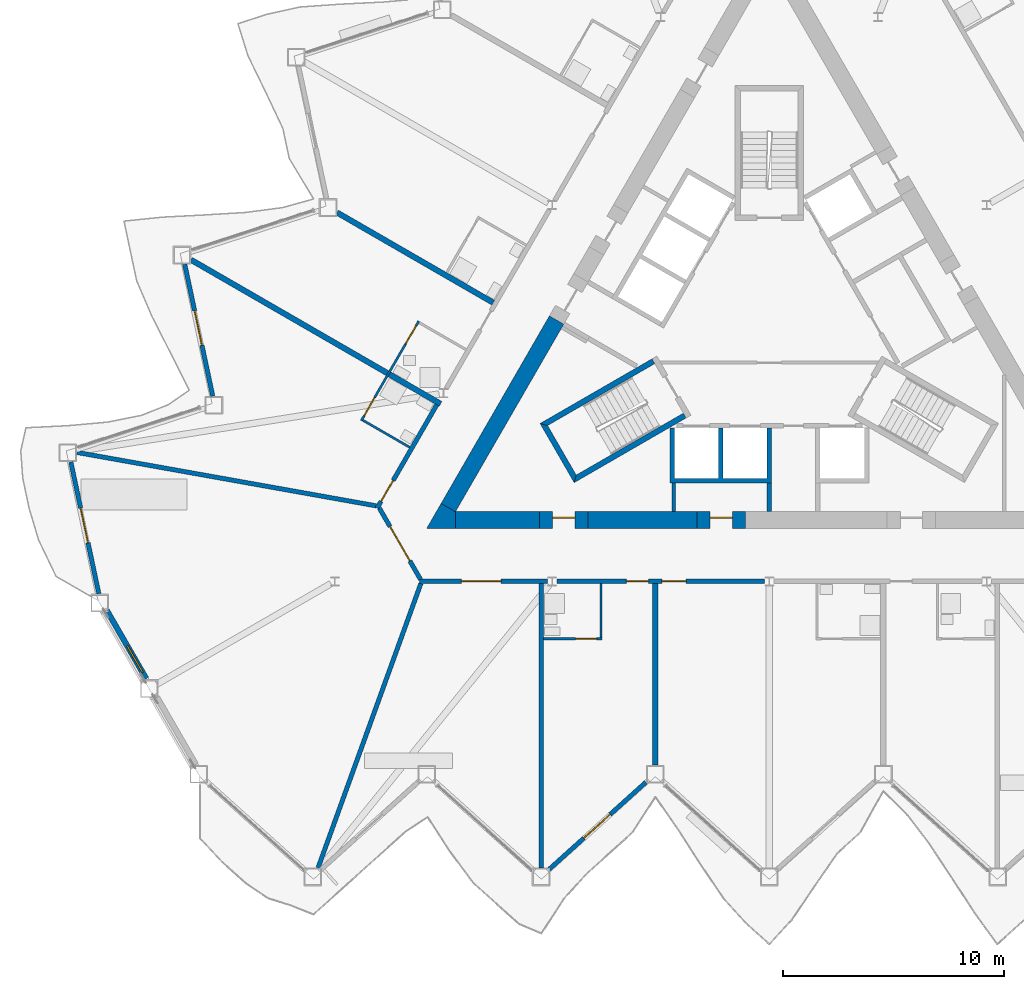
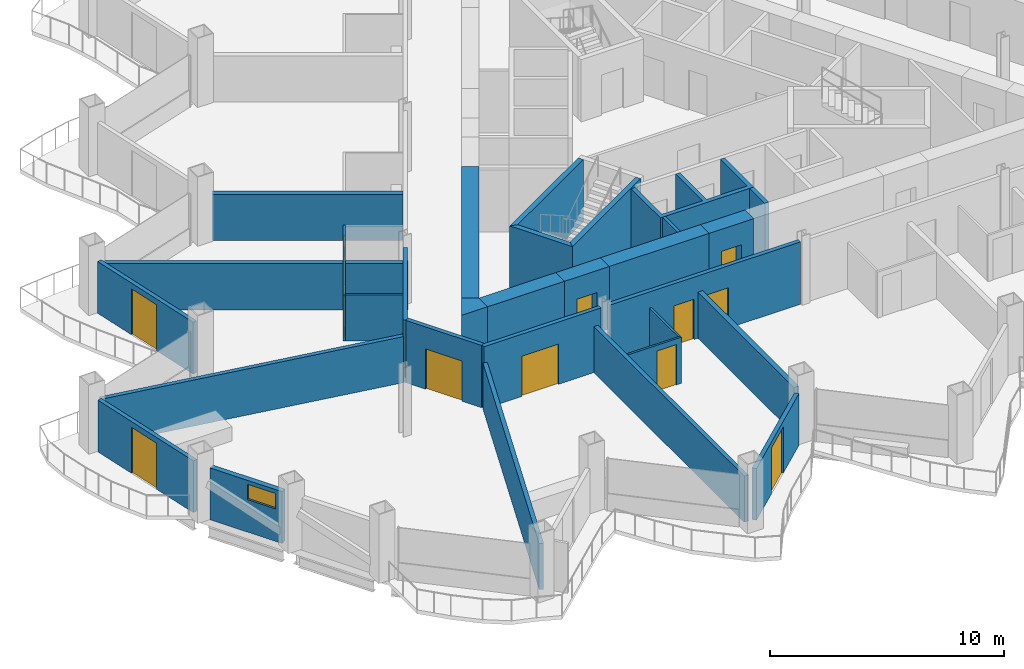
# One storey, part 11 of 23: 30 walls, 13 doors, 1 window, 14 openings.
"""IFC4 building model written with IfcOpenShell, lengths in metres."""

from ifc_helpers import new_model, si_unit, direction, frame, frame_2d, origin, place, context, subcontext, project, spatial, polyline, rectangle, outline, extrude, material, layer, layer_set, type_object, element, fill, save


model = new_model("IFC4")

# Units and contexts
model_context = context("Model", 3, precision=1e-05, world=origin(), true_north=direction((0.0, 1.0)))
body_context = subcontext(model_context, "Body", "Model", "MODEL_VIEW")
ifc_project = project(units=[si_unit("LENGTHUNIT", "METRE"), si_unit("AREAUNIT", "SQUARE_METRE"), si_unit("VOLUMEUNIT", "CUBIC_METRE"), si_unit("PLANEANGLEUNIT", "RADIAN"), si_unit("MASSUNIT", "GRAM", prefix="KILO")], contexts=[model_context])

# Site, building, storey
site_placement = place(None, origin())
site = spatial("IfcSite", under=ifc_project, at=site_placement, CompositionType="ELEMENT")
building_placement = place(site_placement, origin())
building = spatial("IfcBuilding", under=site, at=building_placement, Name="Cormorant Prow Tower", CompositionType="ELEMENT")
storey_placement = place(building_placement, frame((0.0, 0.0, 208.800048828125)))
storey = spatial("IfcBuildingStorey", under=building, at=storey_placement, Name="L46", CompositionType="ELEMENT", Elevation=208.800048828125)

# Walls
ifc_material_1 = material(Name="Gypsum board partition")
ifc_layer_1 = layer(ifc_material_1, 0.14990234375)
ifc_layer_set_1 = layer_set([ifc_layer_1], Name="Gypsum board partition")
wall_type_1 = type_object("IfcWallType", Name="Core partition 150", PredefinedType="PARTITIONING", material=ifc_layer_set_1)
wall_1_placement = place(storey_placement, frame((-4.330322265625, -8.198974609375, 0.0), z_axis=(0.0, 0.0, 1.0), x_axis=(0.0, 1.0, 0.0)))
element("IfcWall", 1, at=wall_1_placement, inside=storey, type_object=wall_type_1, Name="Service room partition", PredefinedType="PARTITIONING", context=body_context, shape_type="SweptSolid", body=[
    extrude(rectangle(XDim=1.29296875, YDim=0.14990234375, at=frame_2d((0.646484375, 0.0))), origin(), (0.0, 0.0, 1.0), 3.25),
])
ifc_material_2 = material(Name="Concrete 8000 psi", Category="concrete")
ifc_layer_2 = layer(ifc_material_2, 0.75)
ifc_layer_set_2 = layer_set([ifc_layer_2], Name="Concrete 8000 psi")
wall_type_2 = type_object("IfcWallType", Name="Core shear wall 750", PredefinedType="SHEAR", material=ifc_layer_set_2)
wall_2_placement = place(storey_placement, frame((-8.203125, -8.573974609375, 0.0), z_axis=(0.0, 0.0, 1.0), x_axis=(1.0, 0.0, 0.0)))
element("IfcWall", 2, at=wall_2_placement, inside=storey, type_object=wall_type_2, Name="Core wall", PredefinedType="SHEAR", context=body_context, shape_type="SweptSolid", body=[
    extrude(rectangle(XDim=4.925537109375, YDim=0.75, at=frame_2d((2.462890625, 0.0))), origin(), (0.0, 0.0, 1.0), 3.25),
])
wall_3_placement = place(storey_placement, frame((-14.200927734375, -8.573974609375, 0.0), z_axis=(0.0, 0.0, 1.0), x_axis=(1.0, 0.0, 0.0)))
element("IfcWall", 3, at=wall_3_placement, inside=storey, type_object=wall_type_2, Name="Core wall", PredefinedType="SHEAR", context=body_context, shape_type="SweptSolid", body=[
    extrude(rectangle(XDim=3.797607421875, YDim=0.75, at=frame_2d((1.89892578125, 0.0))), origin(), (0.0, 0.0, 1.0), 3.25),
])
wall_4_placement = place(storey_placement, frame((-9.625244140625, 0.4765625, 0.0), z_axis=(0.0, 0.0, 1.0), x_axis=(-0.499986234705, -0.866033351035, 0.0)))
element("IfcWall", 4, at=wall_4_placement, inside=storey, type_object=wall_type_2, Name="Core wall", PredefinedType="SHEAR", context=body_context, shape_type="SweptSolid", body=[
    extrude(rectangle(XDim=9.801025390625, YDim=0.75, at=frame_2d((4.900390625, 0.0))), origin(), (0.0, 0.0, 1.0), 3.25),
])
wall_5_placement = place(storey_placement, origin())
element("IfcWall", 5, at=wall_5_placement, inside=storey, type_object=wall_type_2, Name="Core wall corner", PredefinedType="SHEAR", context=body_context, shape_type="SweptSolid", body=[
    extrude(outline(polyline([(-14.8505859375, -7.823974609375), (-14.200927734375, -8.198974609375), (-14.200927734375, -8.948974609375), (-15.5, -8.948974609375), (-14.8505859375, -7.823974609375)])), origin(), (0.0, 0.0, 1.0), 3.25),
])

# Wall, opening, door
wall_6_placement = place(storey_placement, frame((-3.277587890625, -8.573974609375, 0.0), z_axis=(0.0, 0.0, 1.0), x_axis=(1.0, 0.0, 0.0)))
wall_6 = element("IfcWall", 6, at=wall_6_placement, inside=storey, type_object=wall_type_2, Name="Core wall door panel", PredefinedType="SHEAR", context=body_context, shape_type="SweptSolid", body=[
    extrude(rectangle(XDim=2.199951171875, YDim=0.75, at=frame_2d((1.10009765625, 0.0))), origin(), (0.0, 0.0, 1.0), 3.25),
])
opening_1_placement = place(wall_6_placement, frame((0.60009765625, 0.0, 0.0)))
opening_1 = element("IfcOpeningElement", 7, at=opening_1_placement, cuts=wall_6, Name="Opening L46-C14", PredefinedType="OPENING", context=body_context, shape_type="SweptSolid", body=[
    extrude(rectangle(XDim=1.0, YDim=2.10009765625, at=frame_2d((0.5, 1.050048828125))), frame((0.0, 0.385009765625, 0.0), z_axis=(0.0, -1.0, 0.0), x_axis=(1.0, 0.0, 0.0)), (0.0, 0.0, 1.0), 0.77001953125),
])
ifc_material_3 = material(Name="Painted steel", Category="steel")
door_type_1 = type_object("IfcDoorType", Name="Service door 1000x2100", OperationType="NOTDEFINED", PredefinedType="DOOR", material=ifc_material_3)
door_1_placement = place(opening_1_placement, origin())
door_1 = element("IfcDoor", 8, at=door_1_placement, inside=storey, type_object=door_type_1, Name="Core door, Housekeeping store", OperationType="SINGLE_SWING_RIGHT", OverallHeight=2.10009765625, OverallWidth=1.0, PredefinedType="DOOR", context=body_context, shape_type="SweptSolid", body=[
    extrude(rectangle(XDim=1.0, YDim=2.10009765625, at=frame_2d((0.5, 1.050048828125))), frame((0.0, 0.1298828125, 0.0), z_axis=(0.0, -1.0, 0.0), x_axis=(1.0, 0.0, 0.0)), (0.0, 0.0, 1.0), 0.050048828125),
])
fill(opening_1, door_1)

wall_7_placement = place(storey_placement, frame((-10.4033203125, -8.573974609375, 0.0), z_axis=(0.0, 0.0, 1.0), x_axis=(1.0, 0.0, 0.0)))
wall_7 = element("IfcWall", 9, at=wall_7_placement, inside=storey, type_object=wall_type_2, Name="Core wall door panel", PredefinedType="SHEAR", context=body_context, shape_type="SweptSolid", body=[
    extrude(rectangle(XDim=2.2001953125, YDim=0.75, at=frame_2d((1.10009765625, 0.0))), origin(), (0.0, 0.0, 1.0), 3.25),
])
opening_2_placement = place(wall_7_placement, frame((0.60009765625, 0.0, 0.0)))
opening_2 = element("IfcOpeningElement", 10, at=opening_2_placement, cuts=wall_7, Name="Opening L46-C16", PredefinedType="OPENING", context=body_context, shape_type="SweptSolid", body=[
    extrude(rectangle(XDim=1.0, YDim=2.10009765625, at=frame_2d((0.5, 1.050048828125))), frame((0.0, 0.385009765625, 0.0), z_axis=(0.0, -1.0, 0.0), x_axis=(1.0, 0.0, 0.0)), (0.0, 0.0, 1.0), 0.77001953125),
])
door_2_placement = place(opening_2_placement, origin())
door_2 = element("IfcDoor", 11, at=door_2_placement, inside=storey, type_object=door_type_1, Name="Core door, Linen store", OperationType="SINGLE_SWING_RIGHT", OverallHeight=2.10009765625, OverallWidth=1.0, PredefinedType="DOOR", context=body_context, shape_type="SweptSolid", body=[
    extrude(rectangle(XDim=1.0, YDim=2.10009765625, at=frame_2d((0.5, 1.050048828125))), frame((0.0, 0.1298828125, 0.0), z_axis=(0.0, -1.0, 0.0), x_axis=(1.0, 0.0, 0.0)), (0.0, 0.0, 1.0), 0.050048828125),
])
fill(opening_2, door_2)

# Wall, openings, doors
ifc_material_4 = material(Name="Gypsum board corridor wall")
ifc_layer_3 = layer(ifc_material_4, 0.199951171875)
ifc_layer_set_3 = layer_set([ifc_layer_3], Name="Gypsum board corridor wall")
wall_type_3 = type_object("IfcWallType", Name="Corridor wall 200", PredefinedType="PARTITIONING", material=ifc_layer_set_3)
wall_8_placement = place(storey_placement, frame((-9.61474609375, -11.348876953125, 0.0), z_axis=(0.0, 0.0, 1.0), x_axis=(1.0, 0.0, 0.0)))
wall_8 = element("IfcWall", 12, at=wall_8_placement, inside=storey, type_object=wall_type_3, Name="Corridor wall", PredefinedType="PARTITIONING", context=body_context, shape_type="SweptSolid", body=[
    extrude(rectangle(XDim=9.401123046875, YDim=0.199951171875, at=frame_2d((4.70068359375, 0.0))), origin(), (0.0, 0.0, 1.0), 3.25),
])
opening_3_placement = place(wall_8_placement, frame((3.150390625, 0.0, 0.0)))
opening_3 = element("IfcOpeningElement", 13, at=opening_3_placement, cuts=wall_8, Name="Opening L46-F02", PredefinedType="OPENING", context=body_context, shape_type="SweptSolid", body=[
    extrude(rectangle(XDim=1.0, YDim=2.10009765625, at=frame_2d((0.5, 1.050048828125))), frame((0.0, 0.10986328125, 0.0), z_axis=(0.0, -1.0, 0.0), x_axis=(1.0, 0.0, 0.0)), (0.0, 0.0, 1.0), 0.219970703125),
])
opening_4_placement = place(wall_8_placement, frame((4.750732421875, 0.0, 0.0)))
opening_4 = element("IfcOpeningElement", 14, at=opening_4_placement, cuts=wall_8, Name="Opening L46-F04", PredefinedType="OPENING", context=body_context, shape_type="SweptSolid", body=[
    extrude(rectangle(XDim=1.10009765625, YDim=2.10009765625, at=frame_2d((0.550048828125, 1.050048828125))), frame((0.0, 0.10986328125, 0.0), z_axis=(0.0, -1.0, 0.0), x_axis=(1.0, 0.0, 0.0)), (0.0, 0.0, 1.0), 0.219970703125),
])
ifc_material_5 = material(Name="Timber door leaf", Category="wood")
door_type_2 = type_object("IfcDoorType", Name="Flat or room entrance door 1000x2100", OperationType="NOTDEFINED", PredefinedType="DOOR", material=ifc_material_5)
door_3_placement = place(opening_3_placement, origin())
door_3 = element("IfcDoor", 15, at=door_3_placement, inside=storey, type_object=door_type_2, Name="Guest room door", OperationType="SINGLE_SWING_RIGHT", OverallHeight=2.10009765625, OverallWidth=1.0, PredefinedType="DOOR", context=body_context, shape_type="SweptSolid", body=[
    extrude(rectangle(XDim=1.0, YDim=2.10009765625, at=frame_2d((0.5, 1.050048828125))), frame((0.0, 0.02490234375, 0.0), z_axis=(0.0, -1.0, 0.0), x_axis=(1.0, 0.0, 0.0)), (0.0, 0.0, 1.0), 0.050048828125),
])
fill(opening_3, door_3)
ifc_material_6 = material(Name="Timber door leaf", Category="wood")
door_type_3 = type_object("IfcDoorType", Name="Suite entrance door 1100x2100", OperationType="NOTDEFINED", PredefinedType="DOOR", material=ifc_material_6)
door_4_placement = place(opening_4_placement, origin())
door_4 = element("IfcDoor", 16, at=door_4_placement, inside=storey, type_object=door_type_3, Name="Junior suite door", OperationType="SINGLE_SWING_LEFT", OverallHeight=2.10009765625, OverallWidth=1.10009765625, PredefinedType="DOOR", context=body_context, shape_type="SweptSolid", body=[
    extrude(rectangle(XDim=1.10009765625, YDim=2.10009765625, at=frame_2d((0.550048828125, 1.050048828125))), frame((0.0, 0.02490234375, 0.0), z_axis=(0.0, -1.0, 0.0), x_axis=(1.0, 0.0, 0.0)), (0.0, 0.0, 1.0), 0.050048828125),
])
fill(opening_4, door_4)

# Wall, opening, door
wall_9_placement = place(storey_placement, frame((-15.830810546875, -11.348876953125, 0.0), z_axis=(0.0, 0.0, 1.0), x_axis=(1.0, 0.0, 0.0)))
wall_9 = element("IfcWall", 17, at=wall_9_placement, inside=storey, type_object=wall_type_3, Name="Corridor wall", PredefinedType="PARTITIONING", context=body_context, shape_type="SweptSolid", body=[
    extrude(rectangle(XDim=5.78857421875, YDim=0.199951171875, at=frame_2d((2.894287109375, 0.0))), origin(), (0.0, 0.0, 1.0), 3.25),
])
opening_5_placement = place(wall_9_placement, frame((1.891845703125, 0.0, 0.0)))
opening_5 = element("IfcOpeningElement", 18, at=opening_5_placement, cuts=wall_9, Name="Opening L46-F01", PredefinedType="OPENING", context=body_context, shape_type="SweptSolid", body=[
    extrude(rectangle(XDim=1.800048828125, YDim=2.10009765625, at=frame_2d((0.89990234375, 1.050048828125))), frame((0.0, 0.10986328125, 0.0), z_axis=(0.0, -1.0, 0.0), x_axis=(1.0, 0.0, 0.0)), (0.0, 0.0, 1.0), 0.219970703125),
])
ifc_material_7 = material(Name="Timber door leaf", Category="wood")
door_type_4 = type_object("IfcDoorType", Name="Double door 1800x2100", OperationType="DOUBLE_DOOR_SINGLE_SWING", PredefinedType="DOOR", material=ifc_material_7)
door_5_placement = place(opening_5_placement, origin())
door_5 = element("IfcDoor", 19, at=door_5_placement, inside=storey, type_object=door_type_4, Name="Meeting room door", OperationType="DOUBLE_DOOR_SINGLE_SWING", OverallHeight=2.10009765625, OverallWidth=1.800048828125, PredefinedType="DOOR", context=body_context, shape_type="SweptSolid", body=[
    extrude(rectangle(XDim=1.800048828125, YDim=2.10009765625, at=frame_2d((0.89990234375, 1.050048828125))), frame((0.0, 0.02490234375, 0.0), z_axis=(0.0, -1.0, 0.0), x_axis=(1.0, 0.0, 0.0)), (0.0, 0.0, 1.0), 0.050048828125),
])
fill(opening_5, door_5)

wall_10_placement = place(storey_placement, frame((-17.743896484375, -8.035400390625, 0.0), z_axis=(0.0, 0.0, 1.0), x_axis=(0.500020937221, 0.866013315337, 0.0)))
wall_10 = element("IfcWall", 20, at=wall_10_placement, inside=storey, type_object=wall_type_3, Name="Corridor wall", PredefinedType="PARTITIONING", context=body_context, shape_type="SweptSolid", body=[
    extrude(rectangle(XDim=5.404541015625, YDim=0.199951171875, at=frame_2d((2.7021484375, 0.0))), origin(), (0.0, 0.0, 1.0), 3.25),
])
opening_6_placement = place(wall_10_placement, frame((0.35009765625, 0.0, 0.0)))
opening_6 = element("IfcOpeningElement", 21, at=opening_6_placement, cuts=wall_10, Name="Opening L46-F25", PredefinedType="OPENING", context=body_context, shape_type="SweptSolid", body=[
    extrude(rectangle(XDim=1.10009765625, YDim=2.10009765625, at=frame_2d((0.550048828125, 1.050048828125))), frame((0.0, 0.10986328125, 0.0), z_axis=(0.0, -1.0, 0.0), x_axis=(1.0, 0.0, 0.0)), (0.0, 0.0, 1.0), 0.219970703125),
])
door_6_placement = place(opening_6_placement, origin())
door_6 = element("IfcDoor", 22, at=door_6_placement, inside=storey, type_object=door_type_3, Name="Junior suite door", OperationType="SINGLE_SWING_LEFT", OverallHeight=2.10009765625, OverallWidth=1.10009765625, PredefinedType="DOOR", context=body_context, shape_type="SweptSolid", body=[
    extrude(rectangle(XDim=1.10009765625, YDim=2.10009765625, at=frame_2d((0.550048828125, 1.050048828125))), frame((0.0, 0.02490234375, 0.0), z_axis=(0.0, -1.0, 0.0), x_axis=(1.0, 0.0, 0.0)), (0.0, 0.0, 1.0), 0.050048828125),
])
fill(opening_6, door_6)

wall_11_placement = place(storey_placement, frame((-17.643798828125, -8.035400390625, 0.0), z_axis=(0.0, 0.0, 1.0), x_axis=(0.499958791762, -0.866049194065, 0.0)))
wall_11 = element("IfcWall", 23, at=wall_11_placement, inside=storey, type_object=wall_type_3, Name="Corridor wall", PredefinedType="PARTITIONING", context=body_context, shape_type="SweptSolid", body=[
    extrude(rectangle(XDim=3.725830078125, YDim=0.199951171875, at=frame_2d((1.86279296875, 0.0))), origin(), (0.0, 0.0, 1.0), 3.25),
])
opening_7_placement = place(wall_11_placement, frame((0.962890625, 0.0, 0.0)))
opening_7 = element("IfcOpeningElement", 24, at=opening_7_placement, cuts=wall_11, Name="Opening L46-F27", PredefinedType="OPENING", context=body_context, shape_type="SweptSolid", body=[
    extrude(rectangle(XDim=1.800048828125, YDim=2.10009765625, at=frame_2d((0.89990234375, 1.050048828125))), frame((0.0, 0.10986328125, 0.0), z_axis=(0.0, -1.0, 0.0), x_axis=(1.0, 0.0, 0.0)), (0.0, 0.0, 1.0), 0.219970703125),
])
door_7_placement = place(opening_7_placement, origin())
door_7 = element("IfcDoor", 25, at=door_7_placement, inside=storey, type_object=door_type_4, Name="Co-working space door", OperationType="DOUBLE_DOOR_SINGLE_SWING", OverallHeight=2.10009765625, OverallWidth=1.800048828125, PredefinedType="DOOR", context=body_context, shape_type="SweptSolid", body=[
    extrude(rectangle(XDim=1.800048828125, YDim=2.10009765625, at=frame_2d((0.89990234375, 1.050048828125))), frame((0.0, 0.02490234375, 0.0), z_axis=(0.0, -1.0, 0.0), x_axis=(1.0, 0.0, 0.0)), (0.0, 0.0, 1.0), 0.050048828125),
])
fill(opening_7, door_7)

# Walls
ifc_material_8 = material(Name="Gypsum board demising wall")
ifc_layer_4 = layer(ifc_material_8, 0.199951171875)
ifc_layer_set_4 = layer_set([ifc_layer_4], Name="Gypsum board demising wall")
wall_type_4 = type_object("IfcWallType", Name="Demising wall 200", PredefinedType="PARTITIONING", material=ifc_layer_set_4)
wall_12_placement = place(storey_placement, frame((-31.3291015625, -5.51513671875, 0.0), z_axis=(0.0, 0.0, 1.0), x_axis=(0.98444063089, -0.17571751265, 0.0)))
element("IfcWall", 26, at=wall_12_placement, inside=storey, type_object=wall_type_4, Name="Demising wall", PredefinedType="PARTITIONING", context=body_context, shape_type="SweptSolid", body=[
    extrude(rectangle(XDim=13.750732421875, YDim=0.199951171875, at=frame_2d((6.87548828125, 0.0))), origin(), (0.0, 0.0, 1.0), 2.404052734375),
])
wall_13_placement = place(storey_placement, frame((-20.418212890625, -24.3115234375, 0.0), z_axis=(0.0, 0.0, 1.0), x_axis=(0.340057865258, 0.940404513109, 0.0)))
element("IfcWall", 27, at=wall_13_placement, inside=storey, type_object=wall_type_4, Name="Demising wall", PredefinedType="PARTITIONING", context=body_context, shape_type="SweptSolid", body=[
    extrude(rectangle(XDim=13.683837890625, YDim=0.199951171875, at=frame_2d((6.841796875, 0.0))), origin(), (0.0, 0.0, 1.0), 2.404052734375),
])
wall_14_placement = place(storey_placement, frame((-10.311279296875, -24.3115234375, 0.0), z_axis=(0.0, 0.0, 1.0), x_axis=(0.0, 1.0, 0.0)))
element("IfcWall", 28, at=wall_14_placement, inside=storey, type_object=wall_type_4, Name="Demising wall", PredefinedType="PARTITIONING", context=body_context, shape_type="SweptSolid", body=[
    extrude(rectangle(XDim=12.862548828125, YDim=0.199951171875, at=frame_2d((6.43115234375, 0.0))), origin(), (0.0, 0.0, 1.0), 2.404052734375),
])

# Wall, openings, doors
ifc_material_9 = material(Name="Gypsum board partition")
ifc_layer_5 = layer(ifc_material_9, 0.10009765625)
ifc_layer_set_5 = layer_set([ifc_layer_5], Name="Gypsum board partition")
wall_type_5 = type_object("IfcWallType", Name="Internal partition 100", PredefinedType="PARTITIONING", material=ifc_layer_set_5)
wall_15_placement = place(storey_placement, frame((-18.460693359375, -4.0771484375, 0.0), z_axis=(0.0, 0.0, 1.0), x_axis=(0.499971721724, 0.866041729639, 0.0)))
wall_15 = element("IfcWall", 29, at=wall_15_placement, inside=storey, type_object=wall_type_5, Name="Internal partition", PredefinedType="PARTITIONING", context=body_context, shape_type="SweptSolid", body=[
    extrude(rectangle(XDim=5.199951171875, YDim=0.10009765625, at=frame_2d((2.60009765625, 0.0))), origin(), (0.0, 0.0, 1.0), 2.404052734375),
])
opening_8_placement = place(wall_15_placement, frame((4.0, 0.0, 0.0)))
opening_8 = element("IfcOpeningElement", 30, at=opening_8_placement, cuts=wall_15, Name="Opening L46-F24", PredefinedType="OPENING", context=body_context, shape_type="SweptSolid", body=[
    extrude(rectangle(XDim=0.949951171875, YDim=2.10009765625, at=frame_2d((0.47509765625, 1.050048828125))), frame((0.0, 0.06005859375, 0.0), z_axis=(0.0, -1.0, 0.0), x_axis=(1.0, 0.0, 0.0)), (0.0, 0.0, 1.0), 0.1201171875),
])
opening_9_placement = place(wall_15_placement, frame((0.25, 0.0, 0.0)))
opening_9 = element("IfcOpeningElement", 31, at=opening_9_placement, cuts=wall_15, Name="Opening L46-F26", PredefinedType="OPENING", context=body_context, shape_type="SweptSolid", body=[
    extrude(rectangle(XDim=0.949951171875, YDim=2.10009765625, at=frame_2d((0.47509765625, 1.050048828125))), frame((0.0, 0.06005859375, 0.0), z_axis=(0.0, -1.0, 0.0), x_axis=(1.0, 0.0, 0.0)), (0.0, 0.0, 1.0), 0.1201171875),
])
ifc_material_10 = material(Name="Timber door leaf", Category="wood")
door_type_5 = type_object("IfcDoorType", Name="Bathroom door 950x2100", OperationType="NOTDEFINED", PredefinedType="DOOR", material=ifc_material_10)
door_8_placement = place(opening_8_placement, origin())
door_8 = element("IfcDoor", 32, at=door_8_placement, inside=storey, type_object=door_type_5, Name="Guest room door", OperationType="SINGLE_SWING_RIGHT", OverallHeight=2.10009765625, OverallWidth=0.949951171875, PredefinedType="DOOR", context=body_context, shape_type="SweptSolid", body=[
    extrude(rectangle(XDim=0.949951171875, YDim=2.10009765625, at=frame_2d((0.47509765625, 1.050048828125))), frame((0.0, 0.02490234375, 0.0), z_axis=(0.0, -1.0, 0.0), x_axis=(1.0, 0.0, 0.0)), (0.0, 0.0, 1.0), 0.050048828125),
])
fill(opening_8, door_8)
door_9_placement = place(opening_9_placement, origin())
door_9 = element("IfcDoor", 33, at=door_9_placement, inside=storey, type_object=door_type_5, Name="Junior suite door", OperationType="SINGLE_SWING_LEFT", OverallHeight=2.10009765625, OverallWidth=0.949951171875, PredefinedType="DOOR", context=body_context, shape_type="SweptSolid", body=[
    extrude(rectangle(XDim=0.949951171875, YDim=2.10009765625, at=frame_2d((0.47509765625, 1.050048828125))), frame((0.0, 0.02490234375, 0.0), z_axis=(0.0, -1.0, 0.0), x_axis=(1.0, 0.0, 0.0)), (0.0, 0.0, 1.0), 0.050048828125),
])
fill(opening_9, door_9)

# Wall, opening, door
wall_16_placement = place(storey_placement, frame((-10.211181640625, -13.948974609375, 0.0), z_axis=(0.0, 0.0, 1.0), x_axis=(1.0, 0.0, 0.0)))
wall_16 = element("IfcWall", 34, at=wall_16_placement, inside=storey, type_object=wall_type_5, Name="Internal partition", PredefinedType="PARTITIONING", context=body_context, shape_type="SweptSolid", body=[
    extrude(rectangle(XDim=2.64990234375, YDim=0.10009765625, at=frame_2d((1.324951171875, 0.0))), origin(), (0.0, 0.0, 1.0), 2.404052734375),
])
opening_10_placement = place(wall_16_placement, frame((1.449951171875, 0.0, 0.0)))
opening_10 = element("IfcOpeningElement", 35, at=opening_10_placement, cuts=wall_16, Name="Opening L46-F03", PredefinedType="OPENING", context=body_context, shape_type="SweptSolid", body=[
    extrude(rectangle(XDim=0.949951171875, YDim=2.10009765625, at=frame_2d((0.47509765625, 1.050048828125))), frame((0.0, 0.06005859375, 0.0), z_axis=(0.0, -1.0, 0.0), x_axis=(1.0, 0.0, 0.0)), (0.0, 0.0, 1.0), 0.1201171875),
])
door_10_placement = place(opening_10_placement, origin())
door_10 = element("IfcDoor", 36, at=door_10_placement, inside=storey, type_object=door_type_5, Name="Guest room door", OperationType="SINGLE_SWING_RIGHT", OverallHeight=2.10009765625, OverallWidth=0.949951171875, PredefinedType="DOOR", context=body_context, shape_type="SweptSolid", body=[
    extrude(rectangle(XDim=0.949951171875, YDim=2.10009765625, at=frame_2d((0.47509765625, 1.050048828125))), frame((0.0, 0.02490234375, 0.0), z_axis=(0.0, -1.0, 0.0), x_axis=(1.0, 0.0, 0.0)), (0.0, 0.0, 1.0), 0.050048828125),
])
fill(opening_10, door_10)

# Walls
for number, where, z_axis, x_axis, name in (
    (37, (-18.392578125, -4.058837890625, 0.0), (0.0, 0.0, 1.0), (0.866057815567, -0.499943856944, 0.0), "Internal partition"),
    (38, (-7.611328125, -13.89892578125, 0.0), (0.0, 0.0, 1.0), (0.0, 1.0, 0.0), "Internal partition"),
):
    element("IfcWall", number, at=place(storey_placement, frame(where, z_axis=z_axis, x_axis=x_axis)), inside=storey, type_object=wall_type_5, Name=name, PredefinedType="PARTITIONING", context=body_context, shape_type="SweptSolid", body=[
        extrude(rectangle(XDim=2.449951171875, YDim=0.10009765625, at=frame_2d((1.22509765625, 0.0))), origin(), (0.0, 0.0, 1.0), 2.404052734375),
    ])
ifc_material_11 = material(Name="Concrete 8000 psi", Category="concrete")
ifc_layer_6 = layer(ifc_material_11, 0.199951171875)
ifc_layer_set_6 = layer_set([ifc_layer_6], Name="Concrete 8000 psi")
wall_type_6 = type_object("IfcWallType", Name="Lift shaft wall 200", PredefinedType="SHEAR", material=ifc_layer_set_6)
wall_17_placement = place(storey_placement, origin())
element("IfcWall", 39, at=wall_17_placement, inside=storey, type_object=wall_type_6, Name="Lift shaft walls, S block", PredefinedType="SHEAR", context=body_context, shape_type="SweptSolid", body=[
    extrude(outline(polyline([(0.10009765625, -4.39990234375), (0.10009765625, -6.906005859375), (-4.5, -6.906005859375), (-4.5, -4.39990234375), (-4.300048828125, -4.39990234375), (-4.300048828125, -6.699951171875), (-2.300048828125, -6.699951171875), (-2.300048828125, -4.39990234375), (-2.10009765625, -4.39990234375), (-2.10009765625, -6.699951171875), (-0.10009765625, -6.699951171875), (-0.10009765625, -4.39990234375), (0.10009765625, -4.39990234375)])), origin(), (0.0, 0.0, 1.0), 3.25),
])
wall_18_placement = place(storey_placement, frame((0.0, -6.906005859375, 0.0), z_axis=(0.0, 0.0, 1.0), x_axis=(0.0, -1.0, 0.0)))
element("IfcWall", 40, at=wall_18_placement, inside=storey, type_object=wall_type_6, Name="Store side wall", PredefinedType="SHEAR", context=body_context, shape_type="SweptSolid", body=[
    extrude(rectangle(XDim=1.29296875, YDim=0.199951171875, at=frame_2d((0.646484375, 0.0))), origin(), (0.0, 0.0, 1.0), 3.25),
])
ifc_material_12 = material(Name="Concrete 8000 psi", Category="concrete")
ifc_layer_7 = layer(ifc_material_12, 0.25)
ifc_layer_set_7 = layer_set([ifc_layer_7], Name="Concrete 8000 psi")
wall_type_7 = type_object("IfcWallType", Name="Stair wall 250", PredefinedType="SHEAR", material=ifc_layer_set_7)
wall_19_placement = place(storey_placement, origin())
element("IfcWall", 41, at=wall_19_placement, inside=storey, type_object=wall_type_7, Name="Stair ST1 enclosure wall (flank)", PredefinedType="SHEAR", context=body_context, shape_type="SweptSolid", body=[
    extrude(outline(polyline([(-5.30712890625, -1.28125), (-10.37353515625, -4.206298828125), (-10.031982421875, -4.2978515625), (-5.18212890625, -1.497802734375), (-5.30712890625, -1.28125)])), origin(), (0.0, 0.0, 1.0), 3.25),
])
wall_20_placement = place(storey_placement, origin())
element("IfcWall", 42, at=wall_20_placement, inside=storey, type_object=wall_type_7, Name="Stair ST1 enclosure wall (end)", PredefinedType="SHEAR", context=body_context, shape_type="SweptSolid", body=[
    extrude(outline(polyline([(-10.37353515625, -4.206298828125), (-8.82958984375, -6.880615234375), (-8.738037109375, -6.5390625), (-10.031982421875, -4.2978515625), (-10.37353515625, -4.206298828125)])), origin(), (0.0, 0.0, 1.0), 3.25),
])
wall_21_placement = place(storey_placement, origin())
element("IfcWall", 43, at=wall_21_placement, inside=storey, type_object=wall_type_7, Name="Stair ST1 enclosure wall (flank)", PredefinedType="SHEAR", context=body_context, shape_type="SweptSolid", body=[
    extrude(outline(polyline([(-8.738037109375, -6.5390625), (-8.82958984375, -6.880615234375), (-3.76318359375, -3.95556640625), (-3.88818359375, -3.739013671875), (-8.738037109375, -6.5390625)])), origin(), (0.0, 0.0, 1.0), 3.25),
])
ifc_material_13 = material(Name="Acoustic gypsum party wall")
ifc_layer_8 = layer(ifc_material_13, 0.25)
ifc_layer_set_8 = layer_set([ifc_layer_8], Name="Acoustic gypsum party wall")
wall_type_8 = type_object("IfcWallType", Name="Suite party wall 250", PredefinedType="PARTITIONING", material=ifc_layer_set_8)
wall_22_placement = place(storey_placement, frame((-26.164306640625, 3.199462890625, 0.0), z_axis=(0.0, 0.0, 1.0), x_axis=(0.866029635251, -0.499992670813, 0.0)))
element("IfcWall", 44, at=wall_22_placement, inside=storey, type_object=wall_type_8, Name="Suite party wall", PredefinedType="PARTITIONING", context=body_context, shape_type="SweptSolid", body=[
    extrude(rectangle(XDim=13.034912109375, YDim=0.25, at=frame_2d((6.517578125, 0.0))), origin(), (0.0, 0.0, 1.0), 2.404052734375),
])
wall_23_placement = place(storey_placement, frame((-5.155517578125, -19.661376953125, 0.0), z_axis=(0.0, 0.0, 1.0), x_axis=(0.0, 1.0, 0.0)))
element("IfcWall", 45, at=wall_23_placement, inside=storey, type_object=wall_type_8, Name="Suite party wall", PredefinedType="PARTITIONING", context=body_context, shape_type="SweptSolid", body=[
    extrude(rectangle(XDim=8.21240234375, YDim=0.25, at=frame_2d((4.106201171875, 0.0))), origin(), (0.0, 0.0, 1.0), 2.404052734375),
])
wall_24_placement = place(storey_placement, frame((-19.5546875, 5.336669921875, 0.0), z_axis=(0.0, 0.0, 1.0), x_axis=(0.866023543838, -0.500003221507, 0.0)))
element("IfcWall", 46, at=wall_24_placement, inside=storey, type_object=wall_type_8, Name="Suite party wall", PredefinedType="PARTITIONING", context=body_context, shape_type="SweptSolid", body=[
    extrude(rectangle(XDim=8.154296875, YDim=0.25, at=frame_2d((4.0771484375, 0.0))), origin(), (0.0, 0.0, 1.0), 2.404052734375),
])

# Wall, opening, window
ifc_material_14 = material(Name="Terracotta", Category="masonry")
ifc_layer_9 = layer(ifc_material_14, 0.25)
ifc_layer_set_9 = layer_set([ifc_layer_9], Name="Terracotta")
wall_type_9 = type_object("IfcWallType", Name="Terracotta bay wall 250", PredefinedType="SOLIDWALL", material=ifc_layer_set_9)
wall_25_placement = place(storey_placement, frame((-29.9775390625, -12.66162109375, 0.0), z_axis=(0.0, 0.0, 1.0), x_axis=(0.500004952373, -0.866022544512, 0.0)))
wall_25 = element("IfcWall", 47, at=wall_25_placement, inside=storey, type_object=wall_type_9, Name="Terracotta bay wall WSW00", PredefinedType="SOLIDWALL", context=body_context, shape_type="SweptSolid", body=[
    extrude(rectangle(XDim=3.56591796875, YDim=0.25, at=frame_2d((1.782958984375, 0.0))), origin(), (0.0, 0.0, 1.0), 2.700927734375),
])
opening_11_placement = place(wall_25_placement, frame((1.85009765625, 0.0, 1.699951171875)))
opening_11 = element("IfcOpeningElement", 48, at=opening_11_placement, cuts=wall_25, Name="Opening WN3", PredefinedType="OPENING", context=body_context, shape_type="SweptSolid", body=[
    extrude(rectangle(XDim=1.39990234375, YDim=0.800048828125, at=frame_2d((0.699951171875, 0.39990234375))), frame((0.0, 0.135009765625, 0.0), z_axis=(0.0, -1.0, 0.0), x_axis=(1.0, 0.0, 0.0)), (0.0, 0.0, 1.0), 0.27001953125),
])
ifc_material_15 = material(Name="Aluminium 6063-T6", Category="aluminium")
window_type = type_object("IfcWindowType", Name="Corner bay window 1400x800", PartitioningType="SINGLE_PANEL", PredefinedType="WINDOW", material=ifc_material_15)
window_placement = place(opening_11_placement, origin())
window = element("IfcWindow", 49, at=window_placement, inside=storey, type_object=window_type, Name="Corner bay window WSW00", OverallHeight=0.800048828125, OverallWidth=1.39990234375, PartitioningType="SINGLE_PANEL", PredefinedType="WINDOW", context=body_context, shape_type="SweptSolid", body=[
    extrude(rectangle(XDim=1.39990234375, YDim=0.800048828125, at=frame_2d((0.699951171875, 0.39990234375))), frame((0.0, 0.030029296875, 0.0), z_axis=(0.0, -1.0, 0.0), x_axis=(1.0, 0.0, 0.0)), (0.0, 0.0, 1.0), 0.06005859375),
])
fill(opening_11, window)

# Wall, opening, door
ifc_material_16 = material(Name="Terracotta", Category="masonry")
ifc_layer_10 = layer(ifc_material_16, 0.199951171875)
ifc_layer_set_10 = layer_set([ifc_layer_10], Name="Terracotta")
wall_type_10 = type_object("IfcWallType", Name="Terracotta jamb wall 200", PredefinedType="SOLIDWALL", material=ifc_layer_set_10)
wall_26_placement = place(storey_placement, frame((-9.9560546875, -24.37255859375, 0.0), z_axis=(0.0, 0.0, 1.0), x_axis=(0.743163950832, 0.669109364891, 0.0)))
wall_26 = element("IfcWall", 50, at=wall_26_placement, inside=storey, type_object=wall_type_10, Name="Terracotta jamb wall S03", PredefinedType="SOLIDWALL", context=body_context, shape_type="SweptSolid", body=[
    extrude(rectangle(XDim=5.874755859375, YDim=0.199951171875, at=frame_2d((2.9375, 0.0))), origin(), (0.0, 0.0, 1.0), 2.700927734375),
])
opening_12_placement = place(wall_26_placement, frame((2.100830078125, 0.0, 0.0)))
opening_12 = element("IfcOpeningElement", 51, at=opening_12_placement, cuts=wall_26, Name="Opening ED46.02", PredefinedType="OPENING", context=body_context, shape_type="SweptSolid", body=[
    extrude(rectangle(XDim=1.60009765625, YDim=2.39990234375, at=frame_2d((0.800048828125, 1.199951171875))), frame((0.0, 0.10986328125, 0.0), z_axis=(0.0, -1.0, 0.0), x_axis=(1.0, 0.0, 0.0)), (0.0, 0.0, 1.0), 0.219970703125),
])
ifc_material_17 = material(Name="Aluminium 6063-T6", Category="aluminium")
door_type_6 = type_object("IfcDoorType", Name="Balcony door 1600x2400", OperationType="DOUBLE_DOOR_SINGLE_SWING", PredefinedType="DOOR", material=ifc_material_17)
door_11_placement = place(opening_12_placement, origin())
door_11 = element("IfcDoor", 52, at=door_11_placement, inside=storey, type_object=door_type_6, Name="Balcony door S03 ED46.02", OperationType="DOUBLE_DOOR_SINGLE_SWING", OverallHeight=2.39990234375, OverallWidth=1.60009765625, PredefinedType="DOOR", context=body_context, shape_type="SweptSolid", body=[
    extrude(rectangle(XDim=1.60009765625, YDim=2.39990234375, at=frame_2d((0.800048828125, 1.199951171875))), frame((0.0, 0.02490234375, 0.0), z_axis=(0.0, -1.0, 0.0), x_axis=(1.0, 0.0, 0.0)), (0.0, 0.0, 1.0), 0.050048828125),
])
fill(opening_12, door_11)

wall_27_placement = place(storey_placement, frame((-26.451171875, 2.99853515625, 0.0), z_axis=(0.0, 0.0, 1.0), x_axis=(0.207912864597, -0.978147351238, 0.0)))
wall_27 = element("IfcWall", 53, at=wall_27_placement, inside=storey, type_object=wall_type_10, Name="Terracotta jamb wall WNW07", PredefinedType="SOLIDWALL", context=body_context, shape_type="SweptSolid", body=[
    extrude(rectangle(XDim=6.097900390625, YDim=0.199951171875, at=frame_2d((3.048828125, 0.0))), origin(), (0.0, 0.0, 1.0), 2.700927734375),
])
opening_13_placement = place(wall_27_placement, frame((2.151611328125, 0.0, 0.0)))
opening_13 = element("IfcOpeningElement", 54, at=opening_13_placement, cuts=wall_27, Name="Opening ED46.14", PredefinedType="OPENING", context=body_context, shape_type="SweptSolid", body=[
    extrude(rectangle(XDim=1.60009765625, YDim=2.39990234375, at=frame_2d((0.800048828125, 1.199951171875))), frame((0.0, 0.10986328125, 0.0), z_axis=(0.0, -1.0, 0.0), x_axis=(1.0, 0.0, 0.0)), (0.0, 0.0, 1.0), 0.219970703125),
])
door_12_placement = place(opening_13_placement, origin())
door_12 = element("IfcDoor", 55, at=door_12_placement, inside=storey, type_object=door_type_6, Name="Balcony door WNW07 ED46.14", OperationType="DOUBLE_DOOR_SINGLE_SWING", OverallHeight=2.39990234375, OverallWidth=1.60009765625, PredefinedType="DOOR", context=body_context, shape_type="SweptSolid", body=[
    extrude(rectangle(XDim=1.60009765625, YDim=2.39990234375, at=frame_2d((0.800048828125, 1.199951171875))), frame((0.0, 0.02490234375, 0.0), z_axis=(0.0, -1.0, 0.0), x_axis=(1.0, 0.0, 0.0)), (0.0, 0.0, 1.0), 0.050048828125),
])
fill(opening_13, door_12)

wall_28_placement = place(storey_placement, frame((-31.603515625, -5.947021484375, 0.0), z_axis=(0.0, 0.0, 1.0), x_axis=(0.207912864597, -0.978147351238, 0.0)))
wall_28 = element("IfcWall", 56, at=wall_28_placement, inside=storey, type_object=wall_type_10, Name="Terracotta jamb wall WNW09", PredefinedType="SOLIDWALL", context=body_context, shape_type="SweptSolid", body=[
    extrude(rectangle(XDim=6.097900390625, YDim=0.199951171875, at=frame_2d((3.048828125, 0.0))), origin(), (0.0, 0.0, 1.0), 2.700927734375),
])
opening_14_placement = place(wall_28_placement, frame((2.135498046875, 0.0, 0.0)))
opening_14 = element("IfcOpeningElement", 57, at=opening_14_placement, cuts=wall_28, Name="Opening ED46.15", PredefinedType="OPENING", context=body_context, shape_type="SweptSolid", body=[
    extrude(rectangle(XDim=1.60009765625, YDim=2.39990234375, at=frame_2d((0.800048828125, 1.199951171875))), frame((0.0, 0.10986328125, 0.0), z_axis=(0.0, -1.0, 0.0), x_axis=(1.0, 0.0, 0.0)), (0.0, 0.0, 1.0), 0.219970703125),
])
door_13_placement = place(opening_14_placement, origin())
door_13 = element("IfcDoor", 58, at=door_13_placement, inside=storey, type_object=door_type_6, Name="Balcony door WNW09 ED46.15", OperationType="DOUBLE_DOOR_SINGLE_SWING", OverallHeight=2.39990234375, OverallWidth=1.60009765625, PredefinedType="DOOR", context=body_context, shape_type="SweptSolid", body=[
    extrude(rectangle(XDim=1.60009765625, YDim=2.39990234375, at=frame_2d((0.800048828125, 1.199951171875))), frame((0.0, 0.02490234375, 0.0), z_axis=(0.0, -1.0, 0.0), x_axis=(1.0, 0.0, 0.0)), (0.0, 0.0, 1.0), 0.050048828125),
])
fill(opening_14, door_13)

save(model, "model.ifc")
